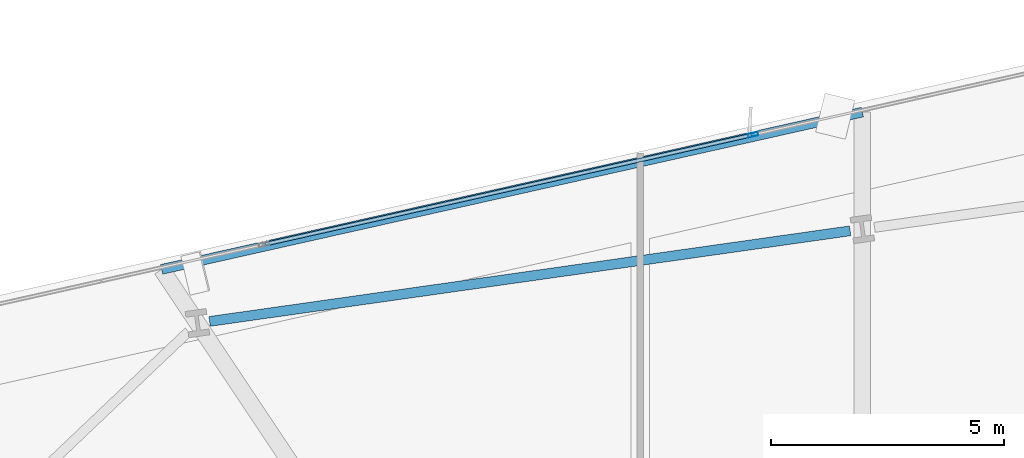
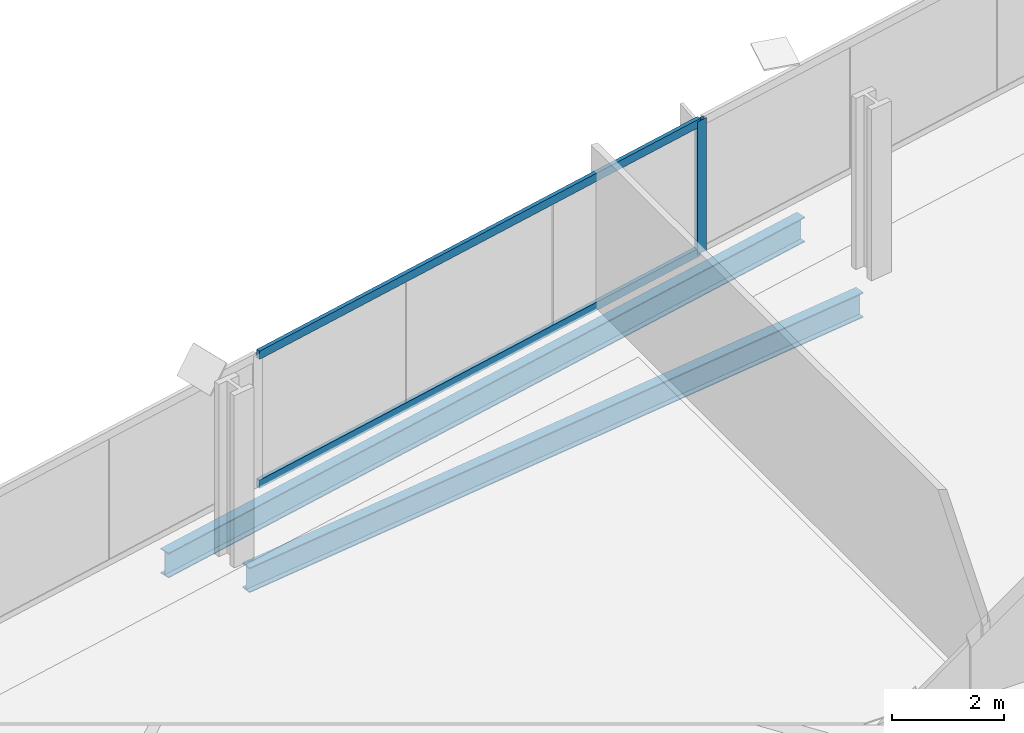
# One storey, part 17 of 32: 3 members, 2 beams, 1 element without a shape of its own.
"""IFC4 building model written with IfcOpenShell, lengths in metres."""

from ifc_helpers import new_model, si_unit, direction, frame, origin, origin_2d, place, context, subcontext, project, spatial, hollow_rectangle, i_section, extrude, material, material_profile, profile_set, type_object, element, aggregate, save


model = new_model("IFC4")

# Units and contexts
model_context = context("Model", 3, precision=1e-05, world=origin(), true_north=direction((0.0, 1.0)))
body_context = subcontext(model_context, "Body", "Model", "MODEL_VIEW")
ifc_project = project(units=[si_unit("LENGTHUNIT", "METRE"), si_unit("AREAUNIT", "SQUARE_METRE"), si_unit("VOLUMEUNIT", "CUBIC_METRE"), si_unit("PLANEANGLEUNIT", "RADIAN"), si_unit("MASSUNIT", "GRAM", prefix="KILO")], contexts=[model_context])

# Site, building, storey
site_placement = place(None, origin())
site = spatial("IfcSite", under=ifc_project, at=site_placement, CompositionType="ELEMENT")
building_placement = place(site_placement, origin())
building = spatial("IfcBuilding", under=site, at=building_placement, Name="Haldenkirk Collegiate Tower", CompositionType="ELEMENT")
storey_placement = place(building_placement, frame((0.0, 0.0, 70.199951171875)))
storey = spatial("IfcBuildingStorey", under=building, at=storey_placement, Name="L16", CompositionType="ELEMENT", Elevation=70.199951171875)

# Beams
ifc_material_1 = material(Name="Steel ASTM A992 Grade 50", Category="steel")
ifc_material_profile_1 = material_profile(ifc_material_1, i_section(OverallWidth=0.2119140625, OverallDepth=0.5439453125, WebThickness=0.01318359375, FlangeThickness=0.021240234375, at=origin_2d()), Name="W21X83")
ifc_profile_set_1 = profile_set([ifc_material_profile_1], Name="Steel ASTM A992 Grade 50")
beam_type = type_object("IfcBeamType", Name="BM-SPANDREL-W21X83", PredefinedType="SPANDREL", material=ifc_profile_set_1)
beam_1_placement = place(storey_placement, frame((32.51025390625, 48.785888671875, -0.58203125), z_axis=(-0.990146197746, -0.14003752029, 0.0), x_axis=(0.14003752029, -0.990146197746, 0.0)))
element("IfcBeam", 1, at=beam_1_placement, inside=storey, type_object=beam_type, Name="L16 perimeter spandrel beam 11", PredefinedType="SPANDREL", context=body_context, shape_type="SweptSolid", body=[
    extrude(i_section(OverallWidth=0.2119140625, OverallDepth=0.5439453125, WebThickness=0.01318359375, FlangeThickness=0.021240234375, at=origin_2d()), origin(), (0.0, 0.0, 1.0), 13.906982421875),
])
beam_2_placement = place(storey_placement, frame((32.772216796875, 51.338134765625, -0.58203125), z_axis=(-0.975725700881, -0.218996248007, 0.0), x_axis=(0.218996248007, -0.975725700881, 0.0)))
element("IfcBeam", 2, at=beam_2_placement, inside=storey, type_object=beam_type, Name="L16 outer facade edge beam 3", PredefinedType="SPANDREL", context=body_context, shape_type="SweptSolid", body=[
    extrude(i_section(OverallWidth=0.2119140625, OverallDepth=0.5439453125, WebThickness=0.01318359375, FlangeThickness=0.021240234375, at=origin_2d()), origin(), (0.0, 0.0, 1.0), 15.43798828125),
])

# Curtain wall, members
ifc_material_2 = material(Name="Anodised architectural bronze aluminium", Category="aluminium")
curtain_wall_type = type_object("IfcCurtainWallType", Name="CW-SYS1-CONVEX-LOW", PredefinedType="USERDEFINED", material=ifc_material_2)
curtain_wall_placement = place(storey_placement, origin())
curtain_wall = element("IfcCurtainWall", 3, at=curtain_wall_placement, inside=storey, type_object=curtain_wall_type, Name="L16 Lower tower convex bronze-framed unitised curtain wall", ObjectType="UNITISED CURTAIN WALL", PredefinedType="USERDEFINED")
ifc_material_profile_2 = material_profile(ifc_material_2, hollow_rectangle(XDim=0.080078125, YDim=0.219970703125, WallThickness=0.0048828125, at=origin_2d()), Name="CW-MUL-1A")
ifc_profile_set_2 = profile_set([ifc_material_profile_2], Name="Anodised architectural bronze aluminium")
member_type_1 = type_object("IfcMemberType", Name="CW-MUL-1A", PredefinedType="MULLION", material=ifc_profile_set_2)
member_1_placement = place(storey_placement, frame((30.422119140625, 50.851806640625, 0.0), z_axis=(0.0, 0.0, 1.0), x_axis=(-0.218995787492, 0.975725804241, 0.0)))
member_1 = element("IfcMember", 4, at=member_1_placement, type_object=member_type_1, Name="CW-1A mullion 3", PredefinedType="MULLION", context=body_context, shape_type="SweptSolid", body=[
    extrude(hollow_rectangle(XDim=0.080078125, YDim=0.219970703125, WallThickness=0.0048828125, at=origin_2d()), origin(), (0.0, 0.0, 1.0), 2.89111328125),
])
ifc_material_profile_3 = material_profile(ifc_material_2, hollow_rectangle(XDim=0.080078125, YDim=0.179931640625, WallThickness=0.0048828125, at=origin_2d()), Name="CW-TRN-1A")
ifc_profile_set_3 = profile_set([ifc_material_profile_3], Name="Anodised architectural bronze aluminium")
member_type_2 = type_object("IfcMemberType", Name="CW-TRN-1A", PredefinedType="USERDEFINED", material=ifc_profile_set_3)
member_2_placement = place(storey_placement, frame((19.94775390625, 48.500732421875, 0.0400390625), z_axis=(0.975722922533, 0.219008626413, 0.0), x_axis=(-0.219008626413, 0.975722922533, 0.0)))
member_2 = element("IfcMember", 5, at=member_2_placement, type_object=member_type_2, Name="CW-1A transom 2.1", ObjectType="TRANSOM", PredefinedType="USERDEFINED", context=body_context, shape_type="SweptSolid", body=[
    extrude(hollow_rectangle(XDim=0.080078125, YDim=0.179931640625, WallThickness=0.0048828125, at=origin_2d()), origin(), (0.0, 0.0, 1.0), 10.69482421875),
])
member_3_placement = place(storey_placement, frame((19.94775390625, 48.500732421875, 2.85107421875), z_axis=(0.975722922533, 0.219008626413, 0.0), x_axis=(-0.219008626413, 0.975722922533, 0.0)))
member_3 = element("IfcMember", 6, at=member_3_placement, type_object=member_type_2, Name="CW-1A transom 2.2", ObjectType="TRANSOM", PredefinedType="USERDEFINED", context=body_context, shape_type="SweptSolid", body=[
    extrude(hollow_rectangle(XDim=0.080078125, YDim=0.179931640625, WallThickness=0.0048828125, at=origin_2d()), origin(), (0.0, 0.0, 1.0), 10.69482421875),
])
aggregate(curtain_wall, [member_1, member_2, member_3])

save(model, "model.ifc")
